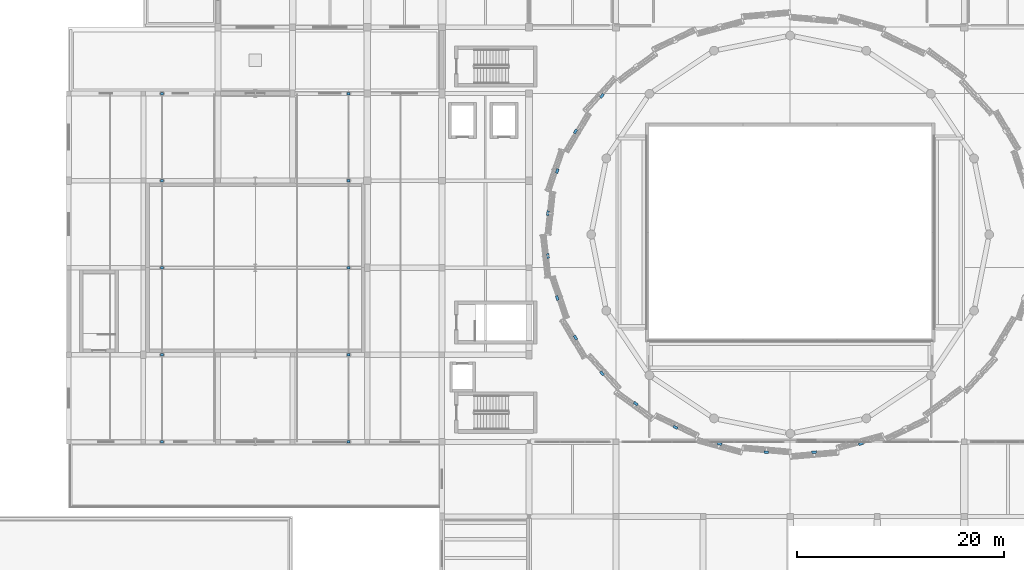
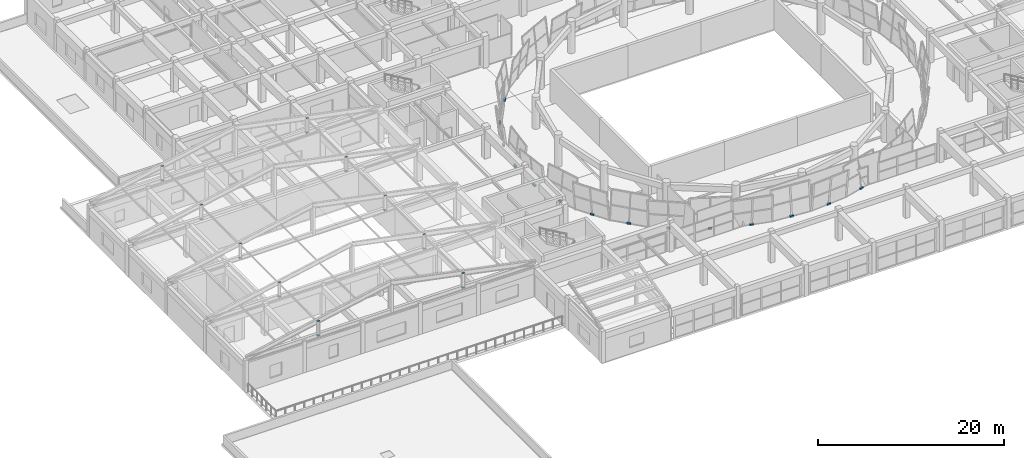
# One storey, part 64 of 74: 34 discrete accessories.
"""IFC4 building model written with IfcOpenShell, lengths in metres."""

from ifc_helpers import new_model, si_unit, direction, frame, origin, origin_2d, place, context, subcontext, project, spatial, rectangle, extrude, material, type_object, element, save


model = new_model("IFC4")

# Units and contexts
model_context = context("Model", 3, precision=1e-05, world=origin(), true_north=direction((0.0, 1.0)))
body_context = subcontext(model_context, "Body", "Model", "MODEL_VIEW")
ifc_project = project(units=[si_unit("LENGTHUNIT", "METRE"), si_unit("AREAUNIT", "SQUARE_METRE"), si_unit("VOLUMEUNIT", "CUBIC_METRE"), si_unit("PLANEANGLEUNIT", "RADIAN"), si_unit("MASSUNIT", "GRAM", prefix="KILO")], contexts=[model_context])

# Site, building, storey
site_placement = place(None, origin())
site = spatial("IfcSite", under=ifc_project, at=site_placement, CompositionType="ELEMENT")
building_placement = place(site_placement, origin())
building = spatial("IfcBuilding", under=site, at=building_placement, Name="Korsvaeld Concert Hall", CompositionType="ELEMENT")
storey_placement = place(building_placement, frame((0.0, 0.0, 9.0)))
storey = spatial("IfcBuildingStorey", under=building, at=storey_placement, Name="L02", CompositionType="ELEMENT", Elevation=9.0)

# Discrete accessories
ifc_material = material(Name="Steel S355J2", Category="steel")
discrete_accessory_type_1 = type_object("IfcDiscreteAccessoryType", Name="ACC-BRACKET-CW", PredefinedType="BRACKET", material=ifc_material)
for number, where, z_axis, x_axis, name in (
    (1, (65.8447265625, 76.58447265625, -0.0400390625), (0.0, 0.0, 1.0), (-0.674431262084, -0.738337641411, 0.0), "Crystal shell base anchor bracket L02 F13"),
    (2, (63.286865234375, 73.1455078125, -0.0400390625), (0.0, 0.0, 1.0), (-0.511293086077, -0.859406411501, 0.0), "Crystal shell base anchor bracket L02 F14"),
    (3, (61.52490234375, 69.324462890625, -0.0400390625), (0.0, 0.0, 1.0), (-0.319951634986, -0.947433876991, 0.0), "Crystal shell base anchor bracket L02 F15"),
    (4, (60.626708984375, 65.267822265625, -0.0400390625), (0.0, 0.0, 1.0), (-0.109040368753, -0.994037322228, 0.0), "Crystal shell base anchor bracket L02 F16"),
    (5, (60.626708984375, 61.132080078125, -0.0400390625), (0.0, 0.0, 1.0), (0.109040368753, -0.994037322228, 0.0), "Crystal shell base anchor bracket L02 F17"),
    (6, (61.52490234375, 57.07568359375, -0.0400390625), (0.0, 0.0, 1.0), (0.319951634986, -0.947433876991, 0.0), "Crystal shell base anchor bracket L02 F18"),
    (7, (63.286865234375, 53.25439453125, -0.0400390625), (0.0, 0.0, 1.0), (0.511293086077, -0.859406411501, 0.0), "Crystal shell base anchor bracket L02 F19"),
    (8, (65.8447265625, 49.815673828125, -0.0400390625), (0.0, 0.0, 1.0), (0.674431262084, -0.738337641411, 0.0), "Crystal shell base anchor bracket L02 F20"),
    (9, (69.100341796875, 46.89111328125, -0.0400390625), (0.0, 0.0, 1.0), (0.804893797356, -0.593418886604, 0.0), "Crystal shell base anchor bracket L02 F21"),
    (10, (72.9287109375, 44.59326171875, -0.0400390625), (0.0, 0.0, 1.0), (0.901455117112, -0.43287258152, 0.0), "Crystal shell base anchor bracket L02 F22"),
    (11, (77.182373046875, 43.010498046875, -0.0400390625), (0.0, 0.0, 1.0), (0.964833216741, -0.262862823299, 0.0), "Crystal shell base anchor bracket L02 F23"),
    (12, (81.697998046875, 42.20361328125, -0.0400390625), (0.0, 0.0, 1.0), (0.996102882603, -0.088198907417, 0.0), "Crystal shell base anchor bracket L02 F24"),
    (13, (86.302001953125, 42.20361328125, -0.0400390625), (0.0, 0.0, 1.0), (0.996102882603, 0.088198907417, 0.0), "Crystal shell base anchor bracket L02 F25"),
    (14, (90.817626953125, 43.010498046875, -0.0400390625), (0.0, 0.0, 1.0), (0.964833216741, 0.262862823299, 0.0), "Crystal shell base anchor bracket L02 F26"),
):
    element("IfcDiscreteAccessory", number, at=place(storey_placement, frame(where, z_axis=z_axis, x_axis=x_axis)), inside=storey, type_object=discrete_accessory_type_1, Name=name, PredefinedType="BRACKET", context=body_context, shape_type="SweptSolid", body=[
        extrude(rectangle(XDim=0.449951171875, YDim=0.239990234375, at=origin_2d()), origin(), (0.0, 0.0, 1.0), 0.239990234375),
    ])
discrete_accessory_type_2 = type_object("IfcDiscreteAccessoryType", Name="ACC-GUSSET-S355", PredefinedType="BRACKET", material=ifc_material)
for number, where, z_axis, x_axis, name in (
    (15, (23.39990234375, 43.199951171875, 4.237548828125), (0.0, 0.0, 1.0), (1.0, 0.0, 0.0), "Brace and strut S355J2 gusset end-plate 131"),
    (16, (23.39990234375, 43.199951171875, 6.137451171875), (0.0, 0.0, 1.0), (1.0, 0.0, 0.0), "Brace and strut S355J2 gusset end-plate 132"),
    (17, (41.39990234375, 43.199951171875, 4.237548828125), (0.0, 0.0, 1.0), (1.0, 0.0, 0.0), "Brace and strut S355J2 gusset end-plate 133"),
    (18, (41.39990234375, 43.199951171875, 6.137451171875), (0.0, 0.0, 1.0), (1.0, 0.0, 0.0), "Brace and strut S355J2 gusset end-plate 134"),
    (19, (23.39990234375, 51.60009765625, 4.237548828125), (0.0, 0.0, 1.0), (1.0, 0.0, 0.0), "Brace and strut S355J2 gusset end-plate 135"),
    (20, (23.39990234375, 51.60009765625, 6.137451171875), (0.0, 0.0, 1.0), (1.0, 0.0, 0.0), "Brace and strut S355J2 gusset end-plate 136"),
    (21, (41.39990234375, 51.60009765625, 4.237548828125), (0.0, 0.0, 1.0), (1.0, 0.0, 0.0), "Brace and strut S355J2 gusset end-plate 137"),
    (22, (41.39990234375, 51.60009765625, 6.137451171875), (0.0, 0.0, 1.0), (1.0, 0.0, 0.0), "Brace and strut S355J2 gusset end-plate 138"),
    (23, (23.39990234375, 60.0, 4.237548828125), (0.0, 0.0, 1.0), (1.0, 0.0, 0.0), "Brace and strut S355J2 gusset end-plate 139"),
    (24, (23.39990234375, 60.0, 6.137451171875), (0.0, 0.0, 1.0), (1.0, 0.0, 0.0), "Brace and strut S355J2 gusset end-plate 140"),
    (25, (41.39990234375, 60.0, 4.237548828125), (0.0, 0.0, 1.0), (1.0, 0.0, 0.0), "Brace and strut S355J2 gusset end-plate 141"),
    (26, (41.39990234375, 60.0, 6.137451171875), (0.0, 0.0, 1.0), (1.0, 0.0, 0.0), "Brace and strut S355J2 gusset end-plate 142"),
    (27, (23.39990234375, 68.39990234375, 4.237548828125), (0.0, 0.0, 1.0), (1.0, 0.0, 0.0), "Brace and strut S355J2 gusset end-plate 143"),
    (28, (23.39990234375, 68.39990234375, 6.137451171875), (0.0, 0.0, 1.0), (1.0, 0.0, 0.0), "Brace and strut S355J2 gusset end-plate 144"),
    (29, (41.39990234375, 68.39990234375, 4.237548828125), (0.0, 0.0, 1.0), (1.0, 0.0, 0.0), "Brace and strut S355J2 gusset end-plate 145"),
    (30, (41.39990234375, 68.39990234375, 6.137451171875), (0.0, 0.0, 1.0), (1.0, 0.0, 0.0), "Brace and strut S355J2 gusset end-plate 146"),
    (31, (23.39990234375, 76.800048828125, 4.237548828125), (0.0, 0.0, 1.0), (1.0, 0.0, 0.0), "Brace and strut S355J2 gusset end-plate 147"),
    (32, (23.39990234375, 76.800048828125, 6.137451171875), (0.0, 0.0, 1.0), (1.0, 0.0, 0.0), "Brace and strut S355J2 gusset end-plate 148"),
    (33, (41.39990234375, 76.800048828125, 4.237548828125), (0.0, 0.0, 1.0), (1.0, 0.0, 0.0), "Brace and strut S355J2 gusset end-plate 149"),
    (34, (41.39990234375, 76.800048828125, 6.137451171875), (0.0, 0.0, 1.0), (1.0, 0.0, 0.0), "Brace and strut S355J2 gusset end-plate 150"),
):
    element("IfcDiscreteAccessory", number, at=place(storey_placement, frame(where, z_axis=z_axis, x_axis=x_axis)), inside=storey, type_object=discrete_accessory_type_2, Name=name, PredefinedType="BRACKET", context=body_context, shape_type="SweptSolid", body=[
        extrude(rectangle(XDim=0.280029296875, YDim=0.25, at=origin_2d()), origin(), (0.0, 0.0, 1.0), 0.02490234375),
    ])

save(model, "model.ifc")
